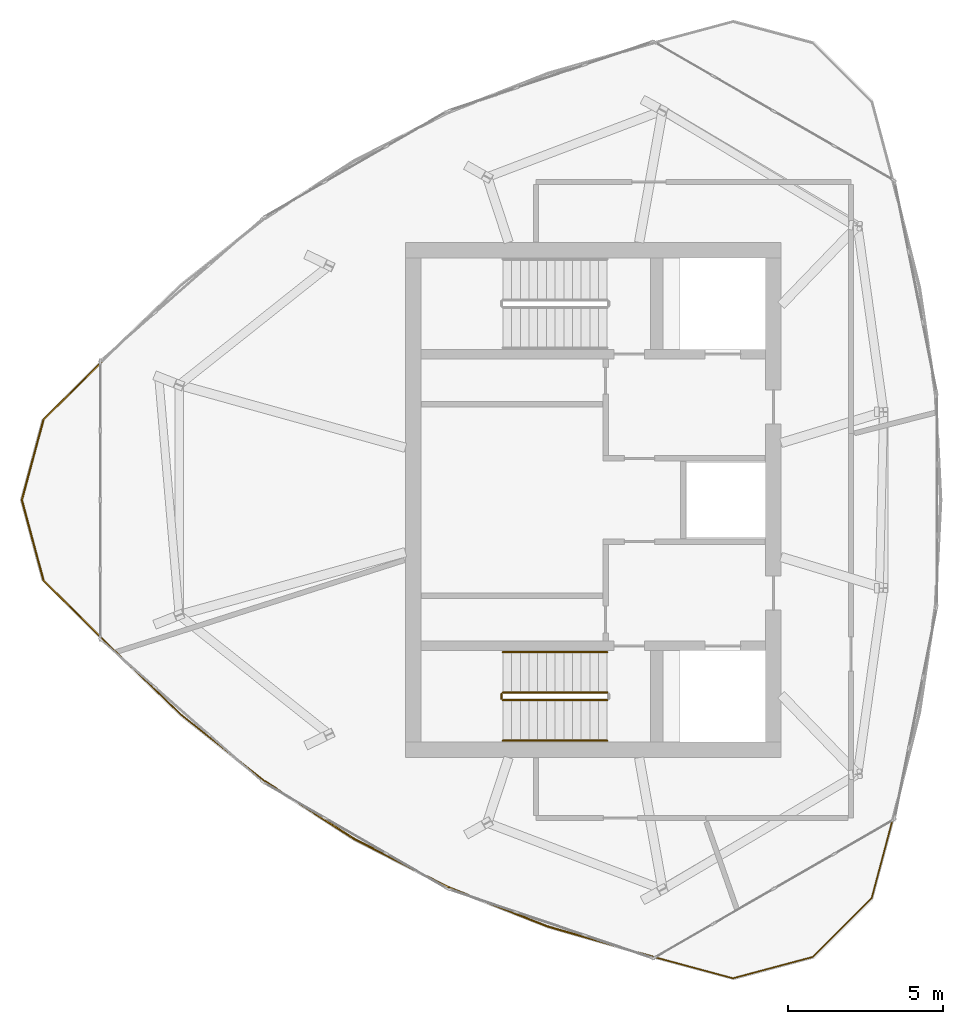
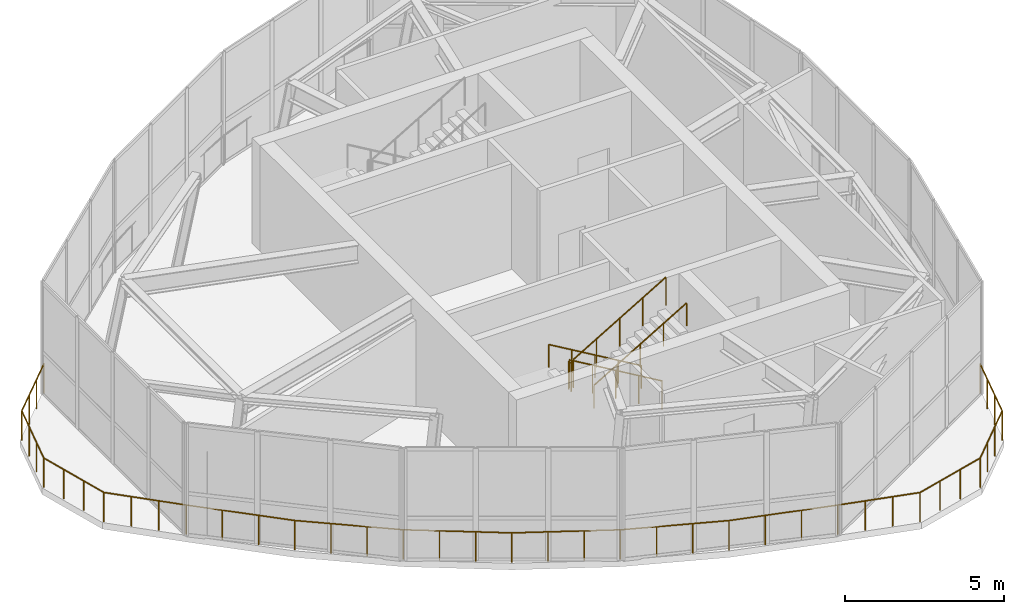
# One storey, part 9 of 11: 10 railings.
"""IFC4 building model written with IfcOpenShell, lengths in metres."""

from ifc_helpers import new_model, si_unit, direction, frame, origin, origin_2d, place, context, subcontext, project, spatial, circle, extrude, source, transform, mapped, material, type_object, element, save


model = new_model("IFC4")

# Units and contexts
model_context = context("Model", 3, precision=1e-05, world=origin(), true_north=direction((0.0, 1.0)))
body_context = subcontext(model_context, "Body", "Model", "MODEL_VIEW")
ifc_project = project(units=[si_unit("LENGTHUNIT", "METRE"), si_unit("AREAUNIT", "SQUARE_METRE"), si_unit("VOLUMEUNIT", "CUBIC_METRE"), si_unit("PLANEANGLEUNIT", "RADIAN"), si_unit("MASSUNIT", "GRAM", prefix="KILO")], contexts=[model_context])

# Site, building, storey
site_placement = place(None, origin())
site = spatial("IfcSite", under=ifc_project, at=site_placement, CompositionType="ELEMENT")
building_placement = place(site_placement, origin())
building = spatial("IfcBuilding", under=site, at=building_placement, Name="Qafzar Sky-Pleat Residences", CompositionType="ELEMENT")
storey_placement = place(building_placement, frame((0.0, 0.0, 257.5)))
storey = spatial("IfcBuildingStorey", under=building, at=storey_placement, Name="L77 Crown", CompositionType="ELEMENT", Elevation=257.5)

# Railings
ifc_material_1 = material(Name="Galvanised and bronze-coated Steel S355 guardrail", Category="steel")
railing_type_1 = type_object("IfcRailingType", Name="RAIL-EXT-1150", PredefinedType="GUARDRAIL", material=ifc_material_1)
shared_shape_1 = source(origin(), body_context, "Body", "SweptSolid", [
    extrude(circle(Radius=0.02392578125, at=origin_2d()), frame((0.0, 0.0, 1.1259765625), z_axis=(-0.708383802689, -0.705827449231, 0.0), x_axis=(0.705827449231, -0.708383802689, 0.0)), (0.0, 0.0, 1.0), 2.674072265625),
    extrude(circle(Radius=0.02392578125, at=origin_2d()), frame((-1.894287109375, -1.887451171875, 1.1259765625), z_axis=(-0.25945905489, -0.965754108889, 0.0), x_axis=(0.965754108889, -0.25945905489, 0.0)), (0.0, 0.0, 1.0), 2.67236328125),
    extrude(circle(Radius=0.02392578125, at=origin_2d()), frame((-2.587646484375, -4.46826171875, 1.1259765625), z_axis=(0.25945905489, -0.965754108889, 0.0), x_axis=(0.965754108889, 0.25945905489, 0.0)), (0.0, 0.0, 1.0), 2.67236328125),
    extrude(circle(Radius=0.02392578125, at=origin_2d()), frame((-1.894287109375, -7.049072265625, 1.1259765625), z_axis=(0.708383802689, -0.705827449231, 0.0), x_axis=(0.705827449231, 0.708383802689, 0.0)), (0.0, 0.0, 1.0), 2.674072265625),
    extrude(circle(Radius=0.02099609375, at=origin_2d()), origin(), (0.0, 0.0, 1.0), 1.101806640625),
    extrude(circle(Radius=0.02099609375, at=origin_2d()), frame((-0.63134765625, -0.629150390625, 0.0)), (0.0, 0.0, 1.0), 1.101806640625),
    extrude(circle(Radius=0.02099609375, at=origin_2d()), frame((-1.262939453125, -1.25830078125, 0.0)), (0.0, 0.0, 1.0), 1.101806640625),
    extrude(circle(Radius=0.02099609375, at=origin_2d()), frame((-1.894287109375, -1.887451171875, 0.0)), (0.0, 0.0, 1.0), 1.101806640625),
    extrude(circle(Radius=0.02099609375, at=origin_2d()), frame((-2.12548828125, -2.747802734375, 0.0)), (0.0, 0.0, 1.0), 1.101806640625),
    extrude(circle(Radius=0.02099609375, at=origin_2d()), frame((-2.3564453125, -3.60791015625, 0.0)), (0.0, 0.0, 1.0), 1.101806640625),
    extrude(circle(Radius=0.02099609375, at=origin_2d()), frame((-2.587646484375, -4.46826171875, 0.0)), (0.0, 0.0, 1.0), 1.101806640625),
    extrude(circle(Radius=0.02099609375, at=origin_2d()), frame((-2.3564453125, -5.32861328125, 0.0)), (0.0, 0.0, 1.0), 1.101806640625),
    extrude(circle(Radius=0.02099609375, at=origin_2d()), frame((-2.12548828125, -6.188720703125, 0.0)), (0.0, 0.0, 1.0), 1.101806640625),
    extrude(circle(Radius=0.02099609375, at=origin_2d()), frame((-1.894287109375, -7.049072265625, 0.0)), (0.0, 0.0, 1.0), 1.101806640625),
    extrude(circle(Radius=0.02099609375, at=origin_2d()), frame((-1.262939453125, -7.67822265625, 0.0)), (0.0, 0.0, 1.0), 1.101806640625),
    extrude(circle(Radius=0.02099609375, at=origin_2d()), frame((-0.63134765625, -8.307373046875, 0.0)), (0.0, 0.0, 1.0), 1.101806640625),
    extrude(circle(Radius=0.02099609375, at=origin_2d()), frame((0.0, -8.9365234375, 0.0)), (0.0, 0.0, 1.0), 1.101806640625),
])
railing_1_placement = place(storey_placement, frame((14.531494140625, 30.46826171875, 0.0)))
element("IfcRailing", 1, at=railing_1_placement, inside=storey, type_object=railing_type_1, Name="L77 Crown Corner Maintenance Guardrail 1", PredefinedType="GUARDRAIL", context=body_context, shape_type="MappedRepresentation", body=[
    mapped(shared_shape_1, transform((0.0, 0.0, 0.0), x_axis=(1.0, 0.0, 0.0), y_axis=(0.0, 1.0, 0.0), z_axis=(0.0, 0.0, 1.0), scale=1.0)),
])
shared_shape_2 = source(origin(), body_context, "Body", "SweptSolid", [
    extrude(circle(Radius=0.02392578125, at=origin_2d()), frame((0.0, 0.0, 1.1259765625), z_axis=(0.719928486452, -0.694048250769, 0.0), x_axis=(0.694048250769, 0.719928486452, 0.0)), (0.0, 0.0, 1.0), 3.518798828125),
    extrude(circle(Radius=0.02392578125, at=origin_2d()), frame((2.533203125, -2.442138671875, 1.1259765625), z_axis=(0.782832979145, -0.622231891471, 0.0), x_axis=(0.622231891471, 0.782832979145, 0.0)), (0.0, 0.0, 1.0), 3.44921875),
    extrude(circle(Radius=0.02099609375, at=origin_2d()), origin(), (0.0, 0.0, 1.0), 1.101806640625),
    extrude(circle(Radius=0.02099609375, at=origin_2d()), frame((0.844482421875, -0.81396484375, 0.0)), (0.0, 0.0, 1.0), 1.101806640625),
    extrude(circle(Radius=0.02099609375, at=origin_2d()), frame((1.688720703125, -1.628173828125, 0.0)), (0.0, 0.0, 1.0), 1.101806640625),
    extrude(circle(Radius=0.02099609375, at=origin_2d()), frame((2.533203125, -2.442138671875, 0.0)), (0.0, 0.0, 1.0), 1.101806640625),
    extrude(circle(Radius=0.02099609375, at=origin_2d()), frame((3.433349609375, -3.157470703125, 0.0)), (0.0, 0.0, 1.0), 1.101806640625),
    extrude(circle(Radius=0.02099609375, at=origin_2d()), frame((4.333251953125, -3.873046875, 0.0)), (0.0, 0.0, 1.0), 1.101806640625),
    extrude(circle(Radius=0.02099609375, at=origin_2d()), frame((5.2333984375, -4.58837890625, 0.0)), (0.0, 0.0, 1.0), 1.101806640625),
])
railing_2_placement = place(storey_placement, frame((14.531494140625, 21.53173828125, 0.0)))
element("IfcRailing", 2, at=railing_2_placement, inside=storey, type_object=railing_type_1, Name="L77 Crown Corner Maintenance Guardrail 2", PredefinedType="GUARDRAIL", context=body_context, shape_type="MappedRepresentation", body=[
    mapped(shared_shape_2, transform((0.0, 0.0, 0.0), x_axis=(1.0, 0.0, 0.0), y_axis=(0.0, 1.0, 0.0), z_axis=(0.0, 0.0, 1.0), scale=1.0)),
])
shared_shape_3 = source(origin(), body_context, "Body", "SweptSolid", [
    extrude(circle(Radius=0.02392578125, at=origin_2d()), frame((0.0, 0.0, 1.1259765625), z_axis=(0.840047524711, -0.542512816648, 0.0), x_axis=(0.542512816648, 0.840047524711, 0.0)), (0.0, 0.0, 1.0), 3.414306640625),
    extrude(circle(Radius=0.02392578125, at=origin_2d()), frame((2.8681640625, -1.852294921875, 1.1259765625), z_axis=(0.88955681089, -0.456824561729, 0.0), x_axis=(0.456824561729, 0.88955681089, 0.0)), (0.0, 0.0, 1.0), 3.4150390625),
    extrude(circle(Radius=0.02099609375, at=origin_2d()), origin(), (0.0, 0.0, 1.0), 1.101806640625),
    extrude(circle(Radius=0.02099609375, at=origin_2d()), frame((0.9560546875, -0.617431640625, 0.0)), (0.0, 0.0, 1.0), 1.101806640625),
    extrude(circle(Radius=0.02099609375, at=origin_2d()), frame((1.912109375, -1.23486328125, 0.0)), (0.0, 0.0, 1.0), 1.101806640625),
    extrude(circle(Radius=0.02099609375, at=origin_2d()), frame((2.8681640625, -1.852294921875, 0.0)), (0.0, 0.0, 1.0), 1.101806640625),
    extrude(circle(Radius=0.02099609375, at=origin_2d()), frame((3.880859375, -2.372314453125, 0.0)), (0.0, 0.0, 1.0), 1.101806640625),
    extrude(circle(Radius=0.02099609375, at=origin_2d()), frame((4.893310546875, -2.892333984375, 0.0)), (0.0, 0.0, 1.0), 1.101806640625),
    extrude(circle(Radius=0.02099609375, at=origin_2d()), frame((5.906005859375, -3.412353515625, 0.0)), (0.0, 0.0, 1.0), 1.101806640625),
])
railing_3_placement = place(storey_placement, frame((19.764892578125, 16.943359375, 0.0)))
element("IfcRailing", 3, at=railing_3_placement, inside=storey, type_object=railing_type_1, Name="L77 Crown Corner Maintenance Guardrail 3", PredefinedType="GUARDRAIL", context=body_context, shape_type="MappedRepresentation", body=[
    mapped(shared_shape_3, transform((0.0, 0.0, 0.0), x_axis=(1.0, 0.0, 0.0), y_axis=(0.0, 1.0, 0.0), z_axis=(0.0, 0.0, 1.0), scale=1.0)),
])
shared_shape_4 = source(origin(), body_context, "Body", "SweptSolid", [
    extrude(circle(Radius=0.02392578125, at=origin_2d()), frame((0.0, 0.0, 1.1259765625), z_axis=(0.930155221331, -0.367166534736, 0.0), x_axis=(0.367166534736, 0.930155221331, 0.0)), (0.0, 0.0, 1.0), 3.450927734375),
    extrude(circle(Radius=0.02392578125, at=origin_2d()), frame((3.2099609375, -1.26708984375, 1.1259765625), z_axis=(0.960975097448, -0.276634889494, 0.0), x_axis=(0.276634889494, 0.960975097448, 0.0)), (0.0, 0.0, 1.0), 3.5205078125),
    extrude(circle(Radius=0.02099609375, at=origin_2d()), origin(), (0.0, 0.0, 1.0), 1.101806640625),
    extrude(circle(Radius=0.02099609375, at=origin_2d()), frame((1.070068359375, -0.42236328125, 0.0)), (0.0, 0.0, 1.0), 1.101806640625),
    extrude(circle(Radius=0.02099609375, at=origin_2d()), frame((2.139892578125, -0.8447265625, 0.0)), (0.0, 0.0, 1.0), 1.101806640625),
    extrude(circle(Radius=0.02099609375, at=origin_2d()), frame((3.2099609375, -1.26708984375, 0.0)), (0.0, 0.0, 1.0), 1.101806640625),
    extrude(circle(Radius=0.02099609375, at=origin_2d()), frame((4.337646484375, -1.591796875, 0.0)), (0.0, 0.0, 1.0), 1.101806640625),
    extrude(circle(Radius=0.02099609375, at=origin_2d()), frame((5.46533203125, -1.916259765625, 0.0)), (0.0, 0.0, 1.0), 1.101806640625),
    extrude(circle(Radius=0.02099609375, at=origin_2d()), frame((6.593017578125, -2.240966796875, 0.0)), (0.0, 0.0, 1.0), 1.101806640625),
])
railing_4_placement = place(storey_placement, frame((25.6708984375, 13.531005859375, 0.0)))
element("IfcRailing", 4, at=railing_4_placement, inside=storey, type_object=railing_type_1, Name="L77 Crown Corner Maintenance Guardrail 4", PredefinedType="GUARDRAIL", context=body_context, shape_type="MappedRepresentation", body=[
    mapped(shared_shape_4, transform((0.0, 0.0, 0.0), x_axis=(1.0, 0.0, 0.0), y_axis=(0.0, 1.0, 0.0), z_axis=(0.0, 0.0, 1.0), scale=1.0)),
])
shared_shape_5 = source(origin(), body_context, "Body", "SweptSolid", [
    extrude(circle(Radius=0.02392578125, at=origin_2d()), frame((0.0, 0.0, 1.1259765625), z_axis=(0.965465816062, -0.260529764164, 0.0), x_axis=(0.260529764164, 0.965465816062, 0.0)), (0.0, 0.0, 1.0), 2.67529296875),
    extrude(circle(Radius=0.02392578125, at=origin_2d()), frame((2.5830078125, -0.697021484375, 1.1259765625), z_axis=(0.966122681765, 0.258083249709, 0.0), x_axis=(-0.258083249709, 0.966122681765, 0.0)), (0.0, 0.0, 1.0), 2.67333984375),
    extrude(circle(Radius=0.02392578125, at=origin_2d()), frame((5.165771484375, -0.007080078125, 1.1259765625), z_axis=(0.706787019779, 0.70742639806, 0.0), x_axis=(-0.70742639806, 0.706787019779, 0.0)), (0.0, 0.0, 1.0), 2.6728515625),
    extrude(circle(Radius=0.02392578125, at=origin_2d()), frame((7.054931640625, 1.8837890625, 1.1259765625), z_axis=(0.257304728139, 0.966330314581, 0.0), x_axis=(-0.966330314581, 0.257304728139, 0.0)), (0.0, 0.0, 1.0), 2.6748046875),
    extrude(circle(Radius=0.02099609375, at=origin_2d()), origin(), (0.0, 0.0, 1.0), 1.101806640625),
    extrude(circle(Radius=0.02099609375, at=origin_2d()), frame((0.861083984375, -0.232421875, 0.0)), (0.0, 0.0, 1.0), 1.101806640625),
    extrude(circle(Radius=0.02099609375, at=origin_2d()), frame((1.721923828125, -0.464599609375, 0.0)), (0.0, 0.0, 1.0), 1.101806640625),
    extrude(circle(Radius=0.02099609375, at=origin_2d()), frame((2.5830078125, -0.697021484375, 0.0)), (0.0, 0.0, 1.0), 1.101806640625),
    extrude(circle(Radius=0.02099609375, at=origin_2d()), frame((3.44384765625, -0.467041015625, 0.0)), (0.0, 0.0, 1.0), 1.101806640625),
    extrude(circle(Radius=0.02099609375, at=origin_2d()), frame((4.304931640625, -0.237060546875, 0.0)), (0.0, 0.0, 1.0), 1.101806640625),
    extrude(circle(Radius=0.02099609375, at=origin_2d()), frame((5.165771484375, -0.007080078125, 0.0)), (0.0, 0.0, 1.0), 1.101806640625),
    extrude(circle(Radius=0.02099609375, at=origin_2d()), frame((5.79541015625, 0.623291015625, 0.0)), (0.0, 0.0, 1.0), 1.101806640625),
    extrude(circle(Radius=0.02099609375, at=origin_2d()), frame((6.42529296875, 1.25341796875, 0.0)), (0.0, 0.0, 1.0), 1.101806640625),
    extrude(circle(Radius=0.02099609375, at=origin_2d()), frame((7.054931640625, 1.8837890625, 0.0)), (0.0, 0.0, 1.0), 1.101806640625),
    extrude(circle(Radius=0.02099609375, at=origin_2d()), frame((7.284423828125, 2.745361328125, 0.0)), (0.0, 0.0, 1.0), 1.101806640625),
    extrude(circle(Radius=0.02099609375, at=origin_2d()), frame((7.513671875, 3.60693359375, 0.0)), (0.0, 0.0, 1.0), 1.101806640625),
    extrude(circle(Radius=0.02099609375, at=origin_2d()), frame((7.7431640625, 4.468505859375, 0.0)), (0.0, 0.0, 1.0), 1.101806640625),
])
railing_5_placement = place(storey_placement, frame((32.263916015625, 11.2900390625, 0.0)))
element("IfcRailing", 5, at=railing_5_placement, inside=storey, type_object=railing_type_1, Name="L77 Crown Corner Maintenance Guardrail 5", PredefinedType="GUARDRAIL", context=body_context, shape_type="MappedRepresentation", body=[
    mapped(shared_shape_5, transform((0.0, 0.0, 0.0), x_axis=(1.0, 0.0, 0.0), y_axis=(0.0, 1.0, 0.0), z_axis=(0.0, 0.0, 1.0), scale=1.0)),
])
ifc_material_2 = material(Name="Painted Steel S355 stair guardrail", Category="steel")
railing_type_2 = type_object("IfcRailingType", Name="RAIL-STAIR-GUARD", PredefinedType="GUARDRAIL", material=ifc_material_2)
shared_shape_6 = source(origin(), body_context, "Body", "SweptSolid", [
    extrude(circle(Radius=0.02392578125, at=origin_2d()), frame((0.0, 0.0, 1.076171875), z_axis=(0.0, -1.0, 0.0), x_axis=(1.0, 0.0, 0.0)), (0.0, 0.0, 1.0), 0.14990234375),
    extrude(circle(Radius=0.02099609375, at=origin_2d()), origin(), (0.0, 0.0, 1.0), 1.052001953125),
    extrude(circle(Radius=0.02099609375, at=origin_2d()), frame((0.0, -0.14990234375, 0.0)), (0.0, 0.0, 1.0), 1.052001953125),
])
railing_6_placement = place(storey_placement, frame((27.389892578125, 19.75, 2.14990234375)))
element("IfcRailing", 6, at=railing_6_placement, inside=storey, type_object=railing_type_2, Name="L77 Crown ST1 stair guard 2", PredefinedType="GUARDRAIL", context=body_context, shape_type="MappedRepresentation", body=[
    mapped(shared_shape_6, transform((0.0, 0.0, 0.0), x_axis=(1.0, 0.0, 0.0), y_axis=(0.0, 1.0, 0.0), z_axis=(0.0, 0.0, 1.0), scale=1.0)),
])
shared_shape_7 = source(origin(), body_context, "Body", "SweptSolid", [
    extrude(circle(Radius=0.02392578125, at=origin_2d()), frame((0.0, 0.0, 1.076171875), z_axis=(-0.861027394533, 0.0, 0.50855857663), x_axis=(0.0, -1.0, 0.0)), (0.0, 0.0, 1.0), 3.90234375),
    extrude(circle(Radius=0.02099609375, at=origin_2d()), origin(), (0.0, 0.0, 1.0), 1.052001953125),
    extrude(circle(Radius=0.02099609375, at=origin_2d()), frame((-0.840087890625, 0.0, 0.49609375)), (0.0, 0.0, 1.0), 1.052001953125),
    extrude(circle(Radius=0.02099609375, at=origin_2d()), frame((-1.68017578125, 0.0, 0.9921875)), (0.0, 0.0, 1.0), 1.052001953125),
    extrude(circle(Radius=0.02099609375, at=origin_2d()), frame((-2.52001953125, 0.0, 1.488525390625)), (0.0, 0.0, 1.0), 1.052001953125),
    extrude(circle(Radius=0.02099609375, at=origin_2d()), frame((-3.360107421875, 0.0, 1.984619140625)), (0.0, 0.0, 1.0), 1.052001953125),
])
railing_7_placement = place(storey_placement, frame((30.800048828125, 19.800048828125, 0.165283203125)))
element("IfcRailing", 7, at=railing_7_placement, inside=storey, type_object=railing_type_2, Name="L77 Crown ST1 stair guard 1", PredefinedType="GUARDRAIL", context=body_context, shape_type="MappedRepresentation", body=[
    mapped(shared_shape_7, transform((0.0, 0.0, 0.0), x_axis=(1.0, 0.0, 0.0), y_axis=(0.0, 1.0, 0.0), z_axis=(0.0, 0.0, 1.0), scale=1.0)),
])
shared_shape_8 = source(origin(), body_context, "Body", "SweptSolid", [
    extrude(circle(Radius=0.02392578125, at=origin_2d()), frame((0.0, 0.0, 1.076171875), z_axis=(0.861027394533, 0.0, 0.50855857663), x_axis=(0.0, 1.0, 0.0)), (0.0, 0.0, 1.0), 3.90234375),
    extrude(circle(Radius=0.02099609375, at=origin_2d()), origin(), (0.0, 0.0, 1.0), 1.052001953125),
    extrude(circle(Radius=0.02099609375, at=origin_2d()), frame((0.840087890625, 0.0, 0.49609375)), (0.0, 0.0, 1.0), 1.052001953125),
    extrude(circle(Radius=0.02099609375, at=origin_2d()), frame((1.68017578125, 0.0, 0.9921875)), (0.0, 0.0, 1.0), 1.052001953125),
    extrude(circle(Radius=0.02099609375, at=origin_2d()), frame((2.52001953125, 0.0, 1.488525390625)), (0.0, 0.0, 1.0), 1.052001953125),
    extrude(circle(Radius=0.02099609375, at=origin_2d()), frame((3.360107421875, 0.0, 1.984619140625)), (0.0, 0.0, 1.0), 1.052001953125),
])
railing_8_placement = place(storey_placement, frame((27.43994140625, 19.550048828125, 2.3154296875)))
element("IfcRailing", 8, at=railing_8_placement, inside=storey, type_object=railing_type_2, Name="L77 Crown ST1 stair guard 3", PredefinedType="GUARDRAIL", context=body_context, shape_type="MappedRepresentation", body=[
    mapped(shared_shape_8, transform((0.0, 0.0, 0.0), x_axis=(1.0, 0.0, 0.0), y_axis=(0.0, 1.0, 0.0), z_axis=(0.0, 0.0, 1.0), scale=1.0)),
])
ifc_material_3 = material(Name="Brushed stainless steel handrail", Category="steel")
railing_type_3 = type_object("IfcRailingType", Name="RAIL-STAIR-HAND", PredefinedType="HANDRAIL", material=ifc_material_3)
shared_shape_9 = source(origin(), body_context, "Body", "SweptSolid", [
    extrude(circle(Radius=0.02392578125, at=origin_2d()), frame((0.0, 0.0, 0.8759765625), z_axis=(-0.861027394533, 0.0, 0.50855857663), x_axis=(0.0, -1.0, 0.0)), (0.0, 0.0, 1.0), 3.90234375),
    extrude(circle(Radius=0.02099609375, at=origin_2d()), origin(), (0.0, 0.0, 1.0), 0.851806640625),
    extrude(circle(Radius=0.02099609375, at=origin_2d()), frame((-0.840087890625, 0.0, 0.49609375)), (0.0, 0.0, 1.0), 0.851806640625),
    extrude(circle(Radius=0.02099609375, at=origin_2d()), frame((-1.68017578125, 0.0, 0.9921875)), (0.0, 0.0, 1.0), 0.851806640625),
    extrude(circle(Radius=0.02099609375, at=origin_2d()), frame((-2.52001953125, 0.0, 1.488525390625)), (0.0, 0.0, 1.0), 0.851806640625),
    extrude(circle(Radius=0.02099609375, at=origin_2d()), frame((-3.360107421875, 0.0, 1.984619140625)), (0.0, 0.0, 1.0), 0.851806640625),
])
railing_9_placement = place(storey_placement, frame((30.800048828125, 21.10009765625, 0.165283203125)))
element("IfcRailing", 9, at=railing_9_placement, inside=storey, type_object=railing_type_3, Name="L77 Crown ST1 stair handrail 1", PredefinedType="HANDRAIL", context=body_context, shape_type="MappedRepresentation", body=[
    mapped(shared_shape_9, transform((0.0, 0.0, 0.0), x_axis=(1.0, 0.0, 0.0), y_axis=(0.0, 1.0, 0.0), z_axis=(0.0, 0.0, 1.0), scale=1.0)),
])
shared_shape_10 = source(origin(), body_context, "Body", "SweptSolid", [
    extrude(circle(Radius=0.02392578125, at=origin_2d()), frame((0.0, 0.0, 0.8759765625), z_axis=(0.861027394533, 0.0, 0.50855857663), x_axis=(0.0, 1.0, 0.0)), (0.0, 0.0, 1.0), 3.90234375),
    extrude(circle(Radius=0.02099609375, at=origin_2d()), origin(), (0.0, 0.0, 1.0), 0.851806640625),
    extrude(circle(Radius=0.02099609375, at=origin_2d()), frame((0.840087890625, 0.0, 0.49609375)), (0.0, 0.0, 1.0), 0.851806640625),
    extrude(circle(Radius=0.02099609375, at=origin_2d()), frame((1.68017578125, 0.0, 0.9921875)), (0.0, 0.0, 1.0), 0.851806640625),
    extrude(circle(Radius=0.02099609375, at=origin_2d()), frame((2.52001953125, 0.0, 1.488525390625)), (0.0, 0.0, 1.0), 0.851806640625),
    extrude(circle(Radius=0.02099609375, at=origin_2d()), frame((3.360107421875, 0.0, 1.984619140625)), (0.0, 0.0, 1.0), 0.851806640625),
])
railing_10_placement = place(storey_placement, frame((27.43994140625, 18.25, 2.3154296875)))
element("IfcRailing", 10, at=railing_10_placement, inside=storey, type_object=railing_type_3, Name="L77 Crown ST1 stair handrail 2", PredefinedType="HANDRAIL", context=body_context, shape_type="MappedRepresentation", body=[
    mapped(shared_shape_10, transform((0.0, 0.0, 0.0), x_axis=(1.0, 0.0, 0.0), y_axis=(0.0, 1.0, 0.0), z_axis=(0.0, 0.0, 1.0), scale=1.0)),
])

save(model, "model.ifc")
